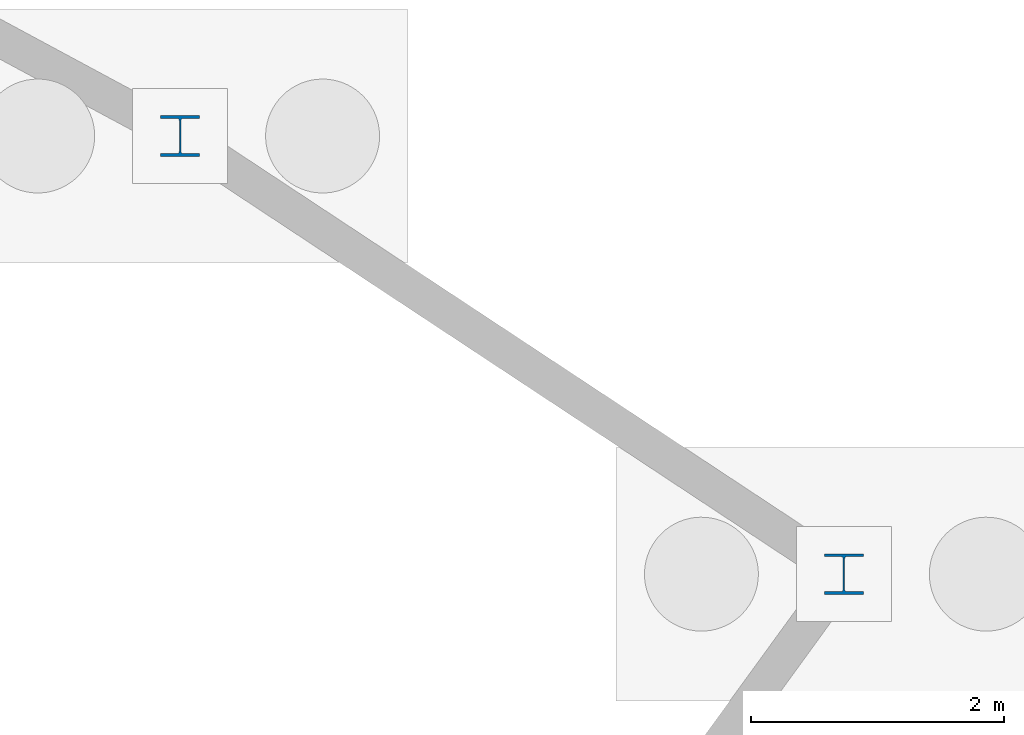
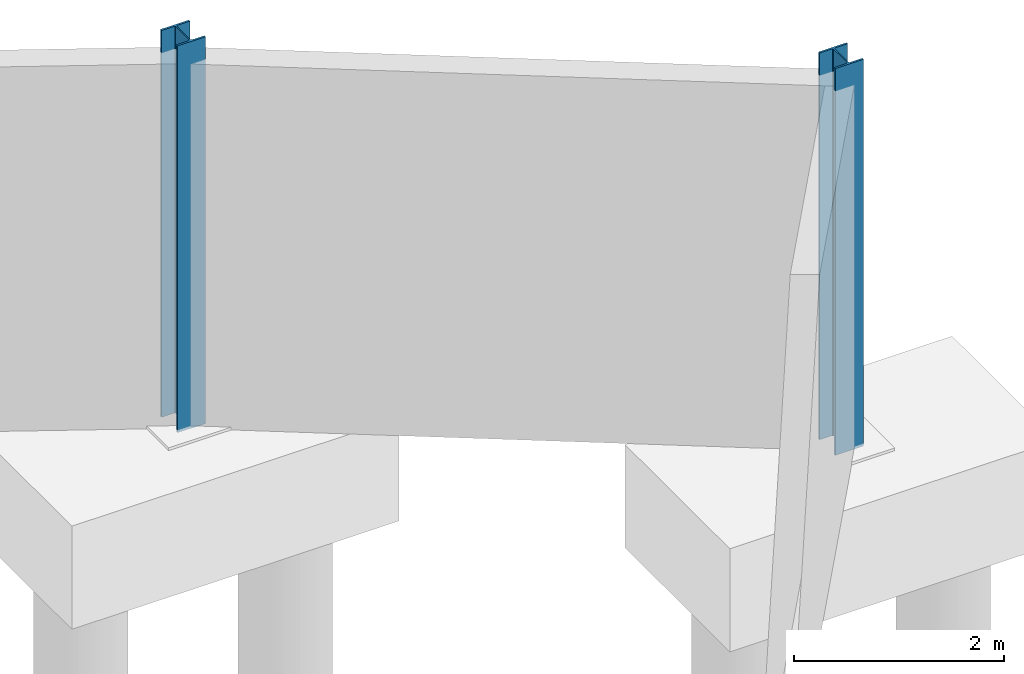
# One storey, part 23 of 41: 2 columns.
"""IFC4 building model written with IfcOpenShell, lengths in metres."""

from ifc_helpers import new_model, si_unit, direction, frame, origin, origin_2d, place, context, subcontext, project, spatial, i_section, extrude, material, material_profile, profile_set, type_object, element, save


model = new_model("IFC4")

# Units and contexts
model_context = context("Model", 3, precision=1e-05, world=origin(), true_north=direction((0.0, 1.0)))
body_context = subcontext(model_context, "Body", "Model", "MODEL_VIEW")
ifc_project = project(units=[si_unit("LENGTHUNIT", "METRE"), si_unit("AREAUNIT", "SQUARE_METRE"), si_unit("VOLUMEUNIT", "CUBIC_METRE"), si_unit("PLANEANGLEUNIT", "RADIAN"), si_unit("MASSUNIT", "GRAM", prefix="KILO")], contexts=[model_context])

# Site, building, storey
site_placement = place(None, origin())
site = spatial("IfcSite", under=ifc_project, at=site_placement, CompositionType="ELEMENT")
building_placement = place(site_placement, origin())
building = spatial("IfcBuilding", under=site, at=building_placement, Name="Selat Folded Stagehouse", CompositionType="ELEMENT")
storey_placement = place(building_placement, frame((0.0, 0.0, -4.5)))
storey = spatial("IfcBuildingStorey", under=building, at=storey_placement, Name="B1", CompositionType="ELEMENT", Elevation=-4.5)

# Columns
ifc_material = material(Name="Steel S355", Category="steel")
ifc_material_profile = material_profile(ifc_material, i_section(OverallWidth=0.30908203125, OverallDepth=0.320556640625, WebThickness=0.013916015625, FlangeThickness=0.021728515625, FilletRadius=0.01513671875, at=origin_2d()), Name="UKC 305x305x137")
ifc_profile_set = profile_set([ifc_material_profile], Name="Steel S355")
column_type = type_object("IfcColumnType", Name="COL-UKC-305x305x137", PredefinedType="COLUMN", material=ifc_profile_set)
for number, where, z_axis, x_axis, name in (
    (1, (128.302978515625, 98.09130859375, 0.0), (0.0, 0.0, 1.0), (1.0, 0.0, 0.0), "B1 column STK-V6OUT-13"),
    (2, (133.544921875, 94.631103515625, 0.0), (0.0, 0.0, 1.0), (1.0, 0.0, 0.0), "B1 column STK-V6OUT-14"),
):
    element("IfcColumn", number, at=place(storey_placement, frame(where, z_axis=z_axis, x_axis=x_axis)), inside=storey, type_object=column_type, Name=name, PredefinedType="COLUMN", context=body_context, shape_type="SweptSolid", body=[
        extrude(i_section(OverallWidth=0.30908203125, OverallDepth=0.320556640625, WebThickness=0.013916015625, FlangeThickness=0.021728515625, FilletRadius=0.01513671875, at=origin_2d()), origin(), (0.0, 0.0, 1.0), 4.5),
    ])

save(model, "model.ifc")
